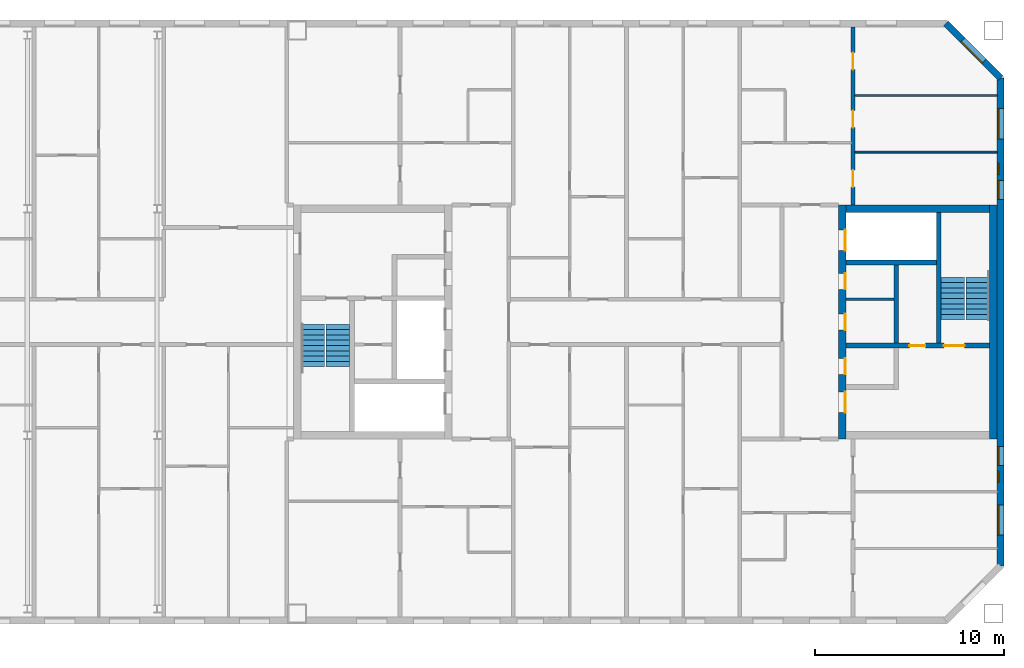
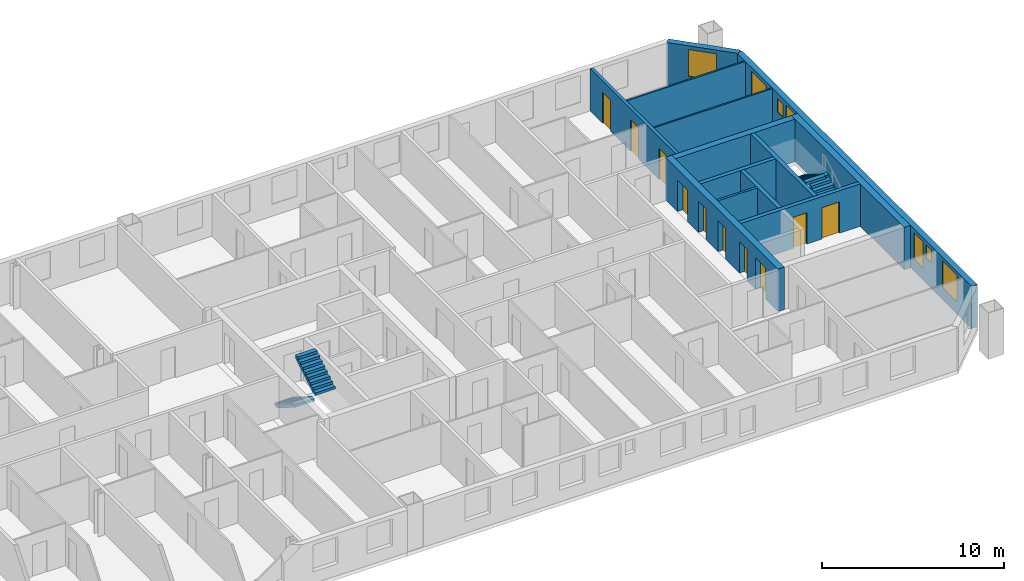
# One storey, part 17 of 19: 13 walls, 10 doors, 7 windows, 4 stair flights, 17 openings, 2 elements without a shape of their own.
"""IFC4 building model written with IfcOpenShell, lengths in metres."""

from ifc_helpers import new_model, si_unit, direction, frame, frame_2d, origin, place, context, subcontext, project, spatial, polyline, rectangle, outline, extrude, material, layer, layer_set, type_object, element, fill, aggregate, save


model = new_model("IFC4")

# Units and contexts
model_context = context("Model", 3, precision=1e-05, world=origin(), true_north=direction((0.0, 1.0)))
body_context = subcontext(model_context, "Body", "Model", "MODEL_VIEW")
ifc_project = project(units=[si_unit("LENGTHUNIT", "METRE"), si_unit("AREAUNIT", "SQUARE_METRE"), si_unit("VOLUMEUNIT", "CUBIC_METRE"), si_unit("PLANEANGLEUNIT", "RADIAN"), si_unit("MASSUNIT", "GRAM", prefix="KILO")], contexts=[model_context])

# Site, building, storey
site_placement = place(None, origin())
site = spatial("IfcSite", under=ifc_project, at=site_placement, CompositionType="ELEMENT")
building_placement = place(site_placement, origin())
building = spatial("IfcBuilding", under=site, at=building_placement, Name="Tuart Gate Housing", CompositionType="ELEMENT")
storey_placement = place(building_placement, frame((0.0, 0.0, 227.60009765625)))
storey = spatial("IfcBuildingStorey", under=building, at=storey_placement, Name="L64", CompositionType="ELEMENT", Elevation=227.60009765625)

# Wall, openings, windows
ifc_material_1 = material(Name="Brick", Category="masonry")
ifc_layer_1 = layer(ifc_material_1, 0.360107421875)
ifc_layer_set_1 = layer_set([ifc_layer_1], Name="Brick pier and spandrel wall 360")
wall_type_1 = type_object("IfcWallType", Name="Brick pier and spandrel wall 360", PredefinedType="STANDARD", material=ifc_layer_set_1)
wall_1_placement = place(storey_placement, frame((168.820068359375, 57.07470703125, 0.0), z_axis=(0.0, 0.0, 1.0), x_axis=(0.0, 1.0, 0.0)))
wall_1 = element("IfcWall", 1, at=wall_1_placement, inside=storey, type_object=wall_type_1, Name="External wall BLK-E L64", PredefinedType="STANDARD", context=body_context, shape_type="SweptSolid", body=[
    extrude(rectangle(XDim=25.850830078125, YDim=0.360107421875, at=frame_2d((12.92529296875, 0.0))), origin(), (0.0, 0.0, 1.0), 2.849853515625),
])
opening_1_placement = place(wall_1_placement, frame((1.62548828125, 0.0, 0.800048828125)))
opening_1 = element("IfcOpeningElement", 2, at=opening_1_placement, cuts=wall_1, Name="Opening W1", PredefinedType="OPENING", context=body_context, shape_type="SweptSolid", body=[
    extrude(rectangle(XDim=1.60009765625, YDim=1.800048828125, at=frame_2d((0.800048828125, 0.89990234375))), frame((0.0, 0.18994140625, 0.0), z_axis=(0.0, -1.0, 0.0), x_axis=(1.0, 0.0, 0.0)), (0.0, 0.0, 1.0), 0.380126953125),
])
opening_2_placement = place(wall_1_placement, frame((4.42529296875, 0.0, 1.699951171875)))
opening_2 = element("IfcOpeningElement", 3, at=opening_2_placement, cuts=wall_1, Name="Opening W1W", PredefinedType="OPENING", context=body_context, shape_type="SweptSolid", body=[
    extrude(rectangle(XDim=0.60009765625, YDim=0.89990234375, at=frame_2d((0.300048828125, 0.449951171875))), frame((0.0, 0.18994140625, 0.0), z_axis=(0.0, -1.0, 0.0), x_axis=(1.0, 0.0, 0.0)), (0.0, 0.0, 1.0), 0.380126953125),
])
opening_3_placement = place(wall_1_placement, frame((19.42529296875, 0.0, 0.800048828125)))
opening_3 = element("IfcOpeningElement", 4, at=opening_3_placement, cuts=wall_1, Name="Opening W1C", PredefinedType="OPENING", context=body_context, shape_type="SweptSolid", body=[
    extrude(rectangle(XDim=1.0, YDim=1.800048828125, at=frame_2d((0.5, 0.89990234375))), frame((0.0, 0.18994140625, 0.0), z_axis=(0.0, -1.0, 0.0), x_axis=(1.0, 0.0, 0.0)), (0.0, 0.0, 1.0), 0.380126953125),
])
opening_4_placement = place(wall_1_placement, frame((22.62548828125, 0.0, 0.800048828125)))
opening_4 = element("IfcOpeningElement", 5, at=opening_4_placement, cuts=wall_1, Name="Opening W1", PredefinedType="OPENING", context=body_context, shape_type="SweptSolid", body=[
    extrude(rectangle(XDim=1.60009765625, YDim=1.800048828125, at=frame_2d((0.800048828125, 0.89990234375))), frame((0.0, 0.18994140625, 0.0), z_axis=(0.0, -1.0, 0.0), x_axis=(1.0, 0.0, 0.0)), (0.0, 0.0, 1.0), 0.380126953125),
])
opening_5_placement = place(wall_1_placement, frame((5.325439453125, 0.0, 0.800048828125)))
opening_5 = element("IfcOpeningElement", 6, at=opening_5_placement, cuts=wall_1, Name="Opening W1C", PredefinedType="OPENING", context=body_context, shape_type="SweptSolid", body=[
    extrude(rectangle(XDim=1.0, YDim=1.800048828125, at=frame_2d((0.5, 0.89990234375))), frame((0.0, 0.18994140625, 0.0), z_axis=(0.0, -1.0, 0.0), x_axis=(1.0, 0.0, 0.0)), (0.0, 0.0, 1.0), 0.380126953125),
])
opening_6_placement = place(wall_1_placement, frame((20.725341796875, 0.0, 1.60009765625)))
opening_6 = element("IfcOpeningElement", 7, at=opening_6_placement, cuts=wall_1, Name="Opening W1W", PredefinedType="OPENING", context=body_context, shape_type="SweptSolid", body=[
    extrude(rectangle(XDim=0.60009765625, YDim=0.89990234375, at=frame_2d((0.300048828125, 0.449951171875))), frame((0.0, 0.18994140625, 0.0), z_axis=(0.0, -1.0, 0.0), x_axis=(1.0, 0.0, 0.0)), (0.0, 0.0, 1.0), 0.380126953125),
])
ifc_material_2 = material(Name="Aluminium frame with clear glass", Category="aluminium")
window_type_1 = type_object("IfcWindowType", Name="Punched window 1000 x 1800", PartitioningType="SINGLE_PANEL", PredefinedType="WINDOW", material=ifc_material_2)
window_1_placement = place(opening_3_placement, origin())
window_1 = element("IfcWindow", 8, at=window_1_placement, inside=storey, type_object=window_type_1, Name="Window W1C", OverallHeight=1.800048828125, OverallWidth=1.0, PartitioningType="SINGLE_PANEL", PredefinedType="WINDOW", context=body_context, shape_type="SweptSolid", body=[
    extrude(rectangle(XDim=1.0, YDim=1.800048828125, at=frame_2d((0.5, 0.89990234375))), frame((0.0, 0.150146484375, 0.0), z_axis=(0.0, -1.0, 0.0), x_axis=(1.0, 0.0, 0.0)), (0.0, 0.0, 1.0), 0.06005859375),
])
fill(opening_3, window_1)
window_2_placement = place(opening_5_placement, origin())
window_2 = element("IfcWindow", 9, at=window_2_placement, inside=storey, type_object=window_type_1, Name="Window W1C", OverallHeight=1.800048828125, OverallWidth=1.0, PartitioningType="SINGLE_PANEL", PredefinedType="WINDOW", context=body_context, shape_type="SweptSolid", body=[
    extrude(rectangle(XDim=1.0, YDim=1.800048828125, at=frame_2d((0.5, 0.89990234375))), frame((0.0, 0.150146484375, 0.0), z_axis=(0.0, -1.0, 0.0), x_axis=(1.0, 0.0, 0.0)), (0.0, 0.0, 1.0), 0.06005859375),
])
fill(opening_5, window_2)
ifc_material_3 = material(Name="Aluminium frame with clear glass", Category="aluminium")
window_type_2 = type_object("IfcWindowType", Name="Punched window 1600 x 1800", PartitioningType="SINGLE_PANEL", PredefinedType="WINDOW", material=ifc_material_3)
window_3_placement = place(opening_1_placement, origin())
window_3 = element("IfcWindow", 10, at=window_3_placement, inside=storey, type_object=window_type_2, Name="Window W1", OverallHeight=1.800048828125, OverallWidth=1.60009765625, PartitioningType="SINGLE_PANEL", PredefinedType="WINDOW", context=body_context, shape_type="SweptSolid", body=[
    extrude(rectangle(XDim=1.60009765625, YDim=1.800048828125, at=frame_2d((0.800048828125, 0.89990234375))), frame((0.0, 0.150146484375, 0.0), z_axis=(0.0, -1.0, 0.0), x_axis=(1.0, 0.0, 0.0)), (0.0, 0.0, 1.0), 0.06005859375),
])
fill(opening_1, window_3)
window_4_placement = place(opening_4_placement, origin())
window_4 = element("IfcWindow", 11, at=window_4_placement, inside=storey, type_object=window_type_2, Name="Window W1", OverallHeight=1.800048828125, OverallWidth=1.60009765625, PartitioningType="SINGLE_PANEL", PredefinedType="WINDOW", context=body_context, shape_type="SweptSolid", body=[
    extrude(rectangle(XDim=1.60009765625, YDim=1.800048828125, at=frame_2d((0.800048828125, 0.89990234375))), frame((0.0, 0.150146484375, 0.0), z_axis=(0.0, -1.0, 0.0), x_axis=(1.0, 0.0, 0.0)), (0.0, 0.0, 1.0), 0.06005859375),
])
fill(opening_4, window_4)
ifc_material_4 = material(Name="Aluminium frame with clear glass", Category="aluminium")
window_type_3 = type_object("IfcWindowType", Name="Punched window 600 x 900", PartitioningType="SINGLE_PANEL", PredefinedType="WINDOW", material=ifc_material_4)
window_5_placement = place(opening_2_placement, origin())
window_5 = element("IfcWindow", 12, at=window_5_placement, inside=storey, type_object=window_type_3, Name="Window W1W", OverallHeight=0.89990234375, OverallWidth=0.60009765625, PartitioningType="SINGLE_PANEL", PredefinedType="WINDOW", context=body_context, shape_type="SweptSolid", body=[
    extrude(rectangle(XDim=0.60009765625, YDim=0.89990234375, at=frame_2d((0.300048828125, 0.449951171875))), frame((0.0, 0.150146484375, 0.0), z_axis=(0.0, -1.0, 0.0), x_axis=(1.0, 0.0, 0.0)), (0.0, 0.0, 1.0), 0.06005859375),
])
fill(opening_2, window_5)
window_6_placement = place(opening_6_placement, origin())
window_6 = element("IfcWindow", 13, at=window_6_placement, inside=storey, type_object=window_type_3, Name="Window W1W", OverallHeight=0.89990234375, OverallWidth=0.60009765625, PartitioningType="SINGLE_PANEL", PredefinedType="WINDOW", context=body_context, shape_type="SweptSolid", body=[
    extrude(rectangle(XDim=0.60009765625, YDim=0.89990234375, at=frame_2d((0.300048828125, 0.449951171875))), frame((0.0, 0.150146484375, 0.0), z_axis=(0.0, -1.0, 0.0), x_axis=(1.0, 0.0, 0.0)), (0.0, 0.0, 1.0), 0.06005859375),
])
fill(opening_6, window_6)

# Wall, opening, window
wall_2_placement = place(storey_placement, frame((168.820068359375, 82.92529296875, 0.0), z_axis=(0.0, 0.0, 1.0), x_axis=(-0.707106781187, 0.707106781187, 0.0)))
wall_2 = element("IfcWall", 14, at=wall_2_placement, inside=storey, type_object=wall_type_1, Name="External wall BLK-NE L64", PredefinedType="STANDARD", context=body_context, shape_type="SweptSolid", body=[
    extrude(rectangle(XDim=4.09375, YDim=0.360107421875, at=frame_2d((2.046875, 0.0))), origin(), (0.0, 0.0, 1.0), 2.849853515625),
])
opening_7_placement = place(wall_2_placement, frame((1.2470703125, 0.0, 0.800048828125)))
opening_7 = element("IfcOpeningElement", 15, at=opening_7_placement, cuts=wall_2, Name="Opening W1", PredefinedType="OPENING", context=body_context, shape_type="SweptSolid", body=[
    extrude(rectangle(XDim=1.60009765625, YDim=1.800048828125, at=frame_2d((0.800048828125, 0.89990234375))), frame((0.0, 0.18994140625, 0.0), z_axis=(0.0, -1.0, 0.0), x_axis=(1.0, 0.0, 0.0)), (0.0, 0.0, 1.0), 0.380126953125),
])
window_7_placement = place(opening_7_placement, origin())
window_7 = element("IfcWindow", 16, at=window_7_placement, inside=storey, type_object=window_type_2, Name="Window W1", OverallHeight=1.800048828125, OverallWidth=1.60009765625, PartitioningType="SINGLE_PANEL", PredefinedType="WINDOW", context=body_context, shape_type="SweptSolid", body=[
    extrude(rectangle(XDim=1.60009765625, YDim=1.800048828125, at=frame_2d((0.800048828125, 0.89990234375))), frame((0.0, 0.150146484375, 0.0), z_axis=(0.0, -1.0, 0.0), x_axis=(1.0, 0.0, 0.0)), (0.0, 0.0, 1.0), 0.06005859375),
])
fill(opening_7, window_7)

# Walls
ifc_material_5 = material(Name="Plasterboard partition")
ifc_layer_2 = layer(ifc_material_5, 0.14990234375)
ifc_layer_set_2 = layer_set([ifc_layer_2], Name="Core partition 150")
wall_type_2 = type_object("IfcWallType", Name="Core partition 150", PredefinedType="PARTITIONING", material=ifc_layer_set_2)
wall_3_placement = place(storey_placement, frame((160.639892578125, 71.199951171875, 0.0), z_axis=(0.0, 0.0, 1.0), x_axis=(1.0, 0.0, 0.0)))
element("IfcWall", 17, at=wall_3_placement, inside=storey, type_object=wall_type_2, Name="Core partition BK.2", PredefinedType="PARTITIONING", context=body_context, shape_type="SweptSolid", body=[
    extrude(rectangle(XDim=2.525146484375, YDim=0.14990234375, at=frame_2d((1.2626953125, 0.0))), origin(), (0.0, 0.0, 1.0), 2.849853515625),
])
ifc_material_6 = material(Name="Concrete C40", Category="concrete")
ifc_layer_3 = layer(ifc_material_6, 0.25)
ifc_layer_set_3 = layer_set([ifc_layer_3], Name="Core wall 250 C40")
wall_type_3 = type_object("IfcWallType", Name="Core wall 250 C40", PredefinedType="SHEAR", material=ifc_layer_set_3)
wall_4_placement = place(storey_placement, frame((160.639892578125, 73.14990234375, 0.0), z_axis=(0.0, 0.0, 1.0), x_axis=(1.0, 0.0, 0.0)))
element("IfcWall", 18, at=wall_4_placement, inside=storey, type_object=wall_type_3, Name="Core wall BK.1", PredefinedType="SHEAR", context=body_context, shape_type="SweptSolid", body=[
    extrude(rectangle(XDim=4.775146484375, YDim=0.25, at=frame_2d((2.3876953125, 0.0))), origin(), (0.0, 0.0, 1.0), 2.849853515625),
])

# Wall, openings, doors
wall_5_placement = place(storey_placement, frame((160.639892578125, 68.75, 0.0), z_axis=(0.0, 0.0, 1.0), x_axis=(1.0, 0.0, 0.0)))
wall_5 = element("IfcWall", 19, at=wall_5_placement, inside=storey, type_object=wall_type_3, Name="Core wall BK.3", PredefinedType="SHEAR", context=body_context, shape_type="SweptSolid", body=[
    extrude(rectangle(XDim=7.60009765625, YDim=0.25, at=frame_2d((3.800048828125, 0.0))), origin(), (0.0, 0.0, 1.0), 2.849853515625),
])
opening_8_placement = place(wall_5_placement, frame((5.175048828125, 0.0, 0.0)))
opening_8 = element("IfcOpeningElement", 20, at=opening_8_placement, cuts=wall_5, Name="Opening D2425", PredefinedType="OPENING", context=body_context, shape_type="SweptSolid", body=[
    extrude(rectangle(XDim=1.10009765625, YDim=2.10009765625, at=frame_2d((0.550048828125, 1.050048828125))), frame((0.0, 0.135009765625, 0.0), z_axis=(0.0, -1.0, 0.0), x_axis=(1.0, 0.0, 0.0)), (0.0, 0.0, 1.0), 0.27001953125),
])
opening_9_placement = place(wall_5_placement, frame((3.35009765625, 0.0, 0.0)))
opening_9 = element("IfcOpeningElement", 21, at=opening_9_placement, cuts=wall_5, Name="Opening D2424", PredefinedType="OPENING", context=body_context, shape_type="SweptSolid", body=[
    extrude(rectangle(XDim=0.85009765625, YDim=2.10009765625, at=frame_2d((0.425048828125, 1.050048828125))), frame((0.0, 0.135009765625, 0.0), z_axis=(0.0, -1.0, 0.0), x_axis=(1.0, 0.0, 0.0)), (0.0, 0.0, 1.0), 0.27001953125),
])
ifc_material_7 = material(Name="Steel fire door", Category="steel")
door_type_1 = type_object("IfcDoorType", Name="Riser door 850 x 2100", OperationType="SINGLE_SWING_LEFT", PredefinedType="DOOR", material=ifc_material_7)
door_1_placement = place(opening_9_placement, origin())
door_1 = element("IfcDoor", 22, at=door_1_placement, inside=storey, type_object=door_type_1, Name="Service room door BK.W1", OperationType="SINGLE_SWING_LEFT", OverallHeight=2.10009765625, OverallWidth=0.85009765625, PredefinedType="DOOR", context=body_context, shape_type="SweptSolid", body=[
    extrude(rectangle(XDim=0.85009765625, YDim=2.10009765625, at=frame_2d((0.425048828125, 1.050048828125))), frame((0.0, 0.02490234375, 0.0), z_axis=(0.0, -1.0, 0.0), x_axis=(1.0, 0.0, 0.0)), (0.0, 0.0, 1.0), 0.050048828125),
])
fill(opening_9, door_1)
ifc_material_8 = material(Name="Steel fire door", Category="steel")
door_type_2 = type_object("IfcDoorType", Name="Stair door 1100 x 2100", OperationType="SINGLE_SWING_LEFT", PredefinedType="DOOR", material=ifc_material_8)
door_2_placement = place(opening_8_placement, origin())
door_2 = element("IfcDoor", 23, at=door_2_placement, inside=storey, type_object=door_type_2, Name="Stair door BK.SD", OperationType="SINGLE_SWING_LEFT", OverallHeight=2.10009765625, OverallWidth=1.10009765625, PredefinedType="DOOR", context=body_context, shape_type="SweptSolid", body=[
    extrude(rectangle(XDim=1.10009765625, YDim=2.10009765625, at=frame_2d((0.550048828125, 1.050048828125))), frame((0.0, 0.02490234375, 0.0), z_axis=(0.0, -1.0, 0.0), x_axis=(1.0, 0.0, 0.0)), (0.0, 0.0, 1.0), 0.050048828125),
])
fill(opening_8, door_2)

# Walls
wall_6_placement = place(storey_placement, frame((163.2900390625, 73.02490234375, 0.0), z_axis=(0.0, 0.0, 1.0), x_axis=(0.0, -1.0, 0.0)))
element("IfcWall", 24, at=wall_6_placement, inside=storey, type_object=wall_type_3, Name="Core wall BK.5", PredefinedType="SHEAR", context=body_context, shape_type="SweptSolid", body=[
    extrude(rectangle(XDim=4.14990234375, YDim=0.25, at=frame_2d((2.074951171875, 0.0))), origin(), (0.0, 0.0, 1.0), 2.849853515625),
])
wall_7_placement = place(storey_placement, frame((165.5400390625, 75.800048828125, 0.0), z_axis=(0.0, 0.0, 1.0), x_axis=(0.0, -1.0, 0.0)))
element("IfcWall", 25, at=wall_7_placement, inside=storey, type_object=wall_type_3, Name="Core wall BK.7", PredefinedType="SHEAR", context=body_context, shape_type="SweptSolid", body=[
    extrude(rectangle(XDim=6.925048828125, YDim=0.25, at=frame_2d((3.46240234375, 0.0))), origin(), (0.0, 0.0, 1.0), 2.849853515625),
])

# Wall, openings, doors
ifc_material_9 = material(Name="Concrete C40", Category="concrete")
ifc_layer_4 = layer(ifc_material_9, 0.39990234375)
ifc_layer_set_4 = layer_set([ifc_layer_4], Name="Core wall 400 C40")
wall_type_4 = type_object("IfcWallType", Name="Core wall 400 C40", PredefinedType="SHEAR", material=ifc_layer_set_4)
wall_8_placement = place(storey_placement, frame((160.43994140625, 76.199951171875, 0.0), z_axis=(0.0, 0.0, 1.0), x_axis=(0.0, -1.0, 0.0)))
wall_8 = element("IfcWall", 26, at=wall_8_placement, inside=storey, type_object=wall_type_4, Name="Core wall BK front", PredefinedType="SHEAR", context=body_context, shape_type="SweptSolid", body=[
    extrude(rectangle(XDim=12.39990234375, YDim=0.39990234375, at=frame_2d((6.199951171875, 0.0))), origin(), (0.0, 0.0, 1.0), 2.849853515625),
])
opening_10_placement = place(wall_8_placement, frame((1.324951171875, 0.0, 0.0)))
opening_10 = element("IfcOpeningElement", 27, at=opening_10_placement, cuts=wall_8, Name="Opening LD-FB2", PredefinedType="OPENING", context=body_context, shape_type="SweptSolid", body=[
    extrude(rectangle(XDim=1.10009765625, YDim=2.10009765625, at=frame_2d((0.550048828125, 1.050048828125))), frame((0.0, 0.2099609375, 0.0), z_axis=(0.0, -1.0, 0.0), x_axis=(1.0, 0.0, 0.0)), (0.0, 0.0, 1.0), 0.419921875),
])
opening_11_placement = place(wall_8_placement, frame((3.625, 0.0, 0.0)))
opening_11 = element("IfcOpeningElement", 28, at=opening_11_placement, cuts=wall_8, Name="Opening D2418", PredefinedType="OPENING", context=body_context, shape_type="SweptSolid", body=[
    extrude(rectangle(XDim=0.85009765625, YDim=2.10009765625, at=frame_2d((0.425048828125, 1.050048828125))), frame((0.0, 0.2099609375, 0.0), z_axis=(0.0, -1.0, 0.0), x_axis=(1.0, 0.0, 0.0)), (0.0, 0.0, 1.0), 0.419921875),
])
opening_12_placement = place(wall_8_placement, frame((5.77490234375, 0.0, 0.0)))
opening_12 = element("IfcOpeningElement", 29, at=opening_12_placement, cuts=wall_8, Name="Opening D2419", PredefinedType="OPENING", context=body_context, shape_type="SweptSolid", body=[
    extrude(rectangle(XDim=0.85009765625, YDim=2.10009765625, at=frame_2d((0.425048828125, 1.050048828125))), frame((0.0, 0.2099609375, 0.0), z_axis=(0.0, -1.0, 0.0), x_axis=(1.0, 0.0, 0.0)), (0.0, 0.0, 1.0), 0.419921875),
])
opening_13_placement = place(wall_8_placement, frame((9.89990234375, 0.0, 0.0)))
opening_13 = element("IfcOpeningElement", 30, at=opening_13_placement, cuts=wall_8, Name="Opening D2417", PredefinedType="OPENING", context=body_context, shape_type="SweptSolid", body=[
    extrude(rectangle(XDim=1.10009765625, YDim=2.10009765625, at=frame_2d((0.550048828125, 1.050048828125))), frame((0.0, 0.2099609375, 0.0), z_axis=(0.0, -1.0, 0.0), x_axis=(1.0, 0.0, 0.0)), (0.0, 0.0, 1.0), 0.419921875),
])
opening_14_placement = place(wall_8_placement, frame((8.125, 0.0, 0.0)))
opening_14 = element("IfcOpeningElement", 31, at=opening_14_placement, cuts=wall_8, Name="Opening D2420", PredefinedType="OPENING", context=body_context, shape_type="SweptSolid", body=[
    extrude(rectangle(XDim=0.85009765625, YDim=2.10009765625, at=frame_2d((0.425048828125, 1.050048828125))), frame((0.0, 0.2099609375, 0.0), z_axis=(0.0, -1.0, 0.0), x_axis=(1.0, 0.0, 0.0)), (0.0, 0.0, 1.0), 0.419921875),
])
ifc_material_10 = material(Name="Stainless steel", Category="steel")
door_type_3 = type_object("IfcDoorType", Name="Landing door 1100 x 2100", OperationType="DOUBLE_DOOR_SLIDING", PredefinedType="DOOR", material=ifc_material_10)
door_3_placement = place(opening_10_placement, origin())
door_3 = element("IfcDoor", 32, at=door_3_placement, inside=storey, type_object=door_type_3, Name="Lift landing door FB2", OperationType="DOUBLE_DOOR_SLIDING", OverallHeight=2.10009765625, OverallWidth=1.10009765625, PredefinedType="DOOR", context=body_context, shape_type="SweptSolid", body=[
    extrude(rectangle(XDim=1.10009765625, YDim=2.10009765625, at=frame_2d((0.550048828125, 1.050048828125))), frame((0.0, 0.18505859375, 0.0), z_axis=(0.0, -1.0, 0.0), x_axis=(1.0, 0.0, 0.0)), (0.0, 0.0, 1.0), 0.050048828125),
])
fill(opening_10, door_3)
ifc_material_11 = material(Name="Steel fire door", Category="steel")
door_type_4 = type_object("IfcDoorType", Name="Lobby door 1100 x 2100", OperationType="SINGLE_SWING_LEFT", PredefinedType="DOOR", material=ifc_material_11)
door_4_placement = place(opening_13_placement, origin())
door_4 = element("IfcDoor", 33, at=door_4_placement, inside=storey, type_object=door_type_4, Name="Lobby entry door BK.EN", OperationType="SINGLE_SWING_LEFT", OverallHeight=2.10009765625, OverallWidth=1.10009765625, PredefinedType="DOOR", context=body_context, shape_type="SweptSolid", body=[
    extrude(rectangle(XDim=1.10009765625, YDim=2.10009765625, at=frame_2d((0.550048828125, 1.050048828125))), frame((0.0, 0.18505859375, 0.0), z_axis=(0.0, -1.0, 0.0), x_axis=(1.0, 0.0, 0.0)), (0.0, 0.0, 1.0), 0.050048828125),
])
fill(opening_13, door_4)
ifc_material_12 = material(Name="Steel fire door", Category="steel")
door_type_5 = type_object("IfcDoorType", Name="Service door 850 x 2100", OperationType="SINGLE_SWING_LEFT", PredefinedType="DOOR", material=ifc_material_12)
door_5_placement = place(opening_11_placement, origin())
door_5 = element("IfcDoor", 34, at=door_5_placement, inside=storey, type_object=door_type_5, Name="Service room door BK.FR1", OperationType="SINGLE_SWING_LEFT", OverallHeight=2.10009765625, OverallWidth=0.85009765625, PredefinedType="DOOR", context=body_context, shape_type="SweptSolid", body=[
    extrude(rectangle(XDim=0.85009765625, YDim=2.10009765625, at=frame_2d((0.425048828125, 1.050048828125))), frame((0.0, 0.18505859375, 0.0), z_axis=(0.0, -1.0, 0.0), x_axis=(1.0, 0.0, 0.0)), (0.0, 0.0, 1.0), 0.050048828125),
])
fill(opening_11, door_5)
door_6_placement = place(opening_12_placement, origin())
door_6 = element("IfcDoor", 35, at=door_6_placement, inside=storey, type_object=door_type_5, Name="Service room door BK.FR2", OperationType="SINGLE_SWING_LEFT", OverallHeight=2.10009765625, OverallWidth=0.85009765625, PredefinedType="DOOR", context=body_context, shape_type="SweptSolid", body=[
    extrude(rectangle(XDim=0.85009765625, YDim=2.10009765625, at=frame_2d((0.425048828125, 1.050048828125))), frame((0.0, 0.18505859375, 0.0), z_axis=(0.0, -1.0, 0.0), x_axis=(1.0, 0.0, 0.0)), (0.0, 0.0, 1.0), 0.050048828125),
])
fill(opening_12, door_6)
door_7_placement = place(opening_14_placement, origin())
door_7 = element("IfcDoor", 36, at=door_7_placement, inside=storey, type_object=door_type_5, Name="Service room door BK.T1", OperationType="SINGLE_SWING_LEFT", OverallHeight=2.10009765625, OverallWidth=0.85009765625, PredefinedType="DOOR", context=body_context, shape_type="SweptSolid", body=[
    extrude(rectangle(XDim=0.85009765625, YDim=2.10009765625, at=frame_2d((0.425048828125, 1.050048828125))), frame((0.0, 0.18505859375, 0.0), z_axis=(0.0, -1.0, 0.0), x_axis=(1.0, 0.0, 0.0)), (0.0, 0.0, 1.0), 0.050048828125),
])
fill(opening_14, door_7)

# Walls
wall_9_placement = place(storey_placement, frame((168.43994140625, 76.199951171875, 0.0), z_axis=(0.0, 0.0, 1.0), x_axis=(0.0, -1.0, 0.0)))
element("IfcWall", 37, at=wall_9_placement, inside=storey, type_object=wall_type_4, Name="Core wall BK back", PredefinedType="SHEAR", context=body_context, shape_type="SweptSolid", body=[
    extrude(rectangle(XDim=12.39990234375, YDim=0.39990234375, at=frame_2d((6.199951171875, 0.0))), origin(), (0.0, 0.0, 1.0), 2.849853515625),
])
wall_10_placement = place(storey_placement, frame((160.639892578125, 76.0, 0.0), z_axis=(0.0, 0.0, 1.0), x_axis=(1.0, 0.0, 0.0)))
element("IfcWall", 38, at=wall_10_placement, inside=storey, type_object=wall_type_4, Name="Core wall BK south", PredefinedType="SHEAR", context=body_context, shape_type="SweptSolid", body=[
    extrude(rectangle(XDim=7.60009765625, YDim=0.39990234375, at=frame_2d((3.800048828125, 0.0))), origin(), (0.0, 0.0, 1.0), 2.849853515625),
])
ifc_material_13 = material(Name="Gypsum board on steel studs", Category="steel")
ifc_layer_5 = layer(ifc_material_13, 0.10009765625)
ifc_layer_set_5 = layer_set([ifc_layer_5], Name="Partition 100")
wall_type_5 = type_object("IfcWallType", Name="Partition 100", PredefinedType="PARTITIONING", material=ifc_layer_set_5)
for number, where, z_axis, x_axis, name in (
    (39, (161.10009765625, 79.0, 0.0), (0.0, 0.0, 1.0), (1.0, 0.0, 0.0), "Partition 100"),
    (40, (161.10009765625, 82.0, 0.0), (0.0, 0.0, 1.0), (1.0, 0.0, 0.0), "Partition 100"),
):
    element("IfcWall", number, at=place(storey_placement, frame(where, z_axis=z_axis, x_axis=x_axis)), inside=storey, type_object=wall_type_5, Name=name, PredefinedType="PARTITIONING", context=body_context, shape_type="SweptSolid", body=[
        extrude(rectangle(XDim=7.539794921875, YDim=0.10009765625, at=frame_2d((3.77001953125, 0.0))), origin(), (0.0, 0.0, 1.0), 2.849853515625),
    ])

# Wall, openings, doors
ifc_material_14 = material(Name="Concrete C40", Category="concrete")
ifc_layer_6 = layer(ifc_material_14, 0.199951171875)
ifc_layer_set_6 = layer_set([ifc_layer_6], Name="Party wall concrete C40 200")
wall_type_6 = type_object("IfcWallType", Name="Party wall concrete C40 200", PredefinedType="SOLIDWALL", material=ifc_layer_set_6)
wall_11_placement = place(storey_placement, frame((161.0, 76.199951171875, 0.0), z_axis=(0.0, 0.0, 1.0), x_axis=(0.0, 1.0, 0.0)))
wall_11 = element("IfcWall", 41, at=wall_11_placement, inside=storey, type_object=wall_type_6, Name="Party wall concrete C40 200", PredefinedType="SOLIDWALL", context=body_context, shape_type="SweptSolid", body=[
    extrude(rectangle(XDim=9.43994140625, YDim=0.199951171875, at=frame_2d((4.719970703125, 0.0))), origin(), (0.0, 0.0, 1.0), 2.849853515625),
])
opening_15_placement = place(wall_11_placement, frame((7.169921875, 0.0, 0.0)))
opening_15 = element("IfcOpeningElement", 42, at=opening_15_placement, cuts=wall_11, Name="Opening D2393", PredefinedType="OPENING", context=body_context, shape_type="SweptSolid", body=[
    extrude(rectangle(XDim=0.89990234375, YDim=2.10009765625, at=frame_2d((0.449951171875, 1.050048828125))), frame((0.0, 0.10986328125, 0.0), z_axis=(0.0, -1.0, 0.0), x_axis=(1.0, 0.0, 0.0)), (0.0, 0.0, 1.0), 0.219970703125),
])
opening_16_placement = place(wall_11_placement, frame((4.10009765625, 0.0, 0.0)))
opening_16 = element("IfcOpeningElement", 43, at=opening_16_placement, cuts=wall_11, Name="Opening D2394", PredefinedType="OPENING", context=body_context, shape_type="SweptSolid", body=[
    extrude(rectangle(XDim=0.89990234375, YDim=2.10009765625, at=frame_2d((0.449951171875, 1.050048828125))), frame((0.0, 0.10986328125, 0.0), z_axis=(0.0, -1.0, 0.0), x_axis=(1.0, 0.0, 0.0)), (0.0, 0.0, 1.0), 0.219970703125),
])
opening_17_placement = place(wall_11_placement, frame((0.949951171875, 0.0, 0.0)))
opening_17 = element("IfcOpeningElement", 44, at=opening_17_placement, cuts=wall_11, Name="Opening D2395", PredefinedType="OPENING", context=body_context, shape_type="SweptSolid", body=[
    extrude(rectangle(XDim=0.89990234375, YDim=2.10009765625, at=frame_2d((0.449951171875, 1.050048828125))), frame((0.0, 0.10986328125, 0.0), z_axis=(0.0, -1.0, 0.0), x_axis=(1.0, 0.0, 0.0)), (0.0, 0.0, 1.0), 0.219970703125),
])
ifc_material_15 = material(Name="Timber door leaf in steel frame", Category="steel")
door_type_6 = type_object("IfcDoorType", Name="Internal door 900", OperationType="SINGLE_SWING_LEFT", PredefinedType="DOOR", material=ifc_material_15)
door_8_placement = place(opening_16_placement, frame((0.89990234375, 0.0, 0.0), z_axis=(0.0, 0.0, 1.0), x_axis=(-1.0, 0.0, 0.0)))
door_8 = element("IfcDoor", 45, at=door_8_placement, inside=storey, type_object=door_type_6, Name="Internal door", OperationType="SINGLE_SWING_LEFT", OverallHeight=2.10009765625, OverallWidth=0.89990234375, PredefinedType="DOOR", context=body_context, shape_type="SweptSolid", body=[
    extrude(rectangle(XDim=0.89990234375, YDim=2.10009765625, at=frame_2d((0.449951171875, 1.050048828125))), frame((0.0, 0.025146484375, 0.0), z_axis=(0.0, -1.0, 0.0), x_axis=(1.0, 0.0, 0.0)), (0.0, 0.0, 1.0), 0.050048828125),
])
fill(opening_16, door_8)
ifc_material_16 = material(Name="Timber door leaf in steel frame", Category="steel")
door_type_7 = type_object("IfcDoorType", Name="Internal door 900 RH", OperationType="SINGLE_SWING_RIGHT", PredefinedType="DOOR", material=ifc_material_16)
door_9_placement = place(opening_15_placement, frame((0.89990234375, 0.0, 0.0), z_axis=(0.0, 0.0, 1.0), x_axis=(-1.0, 0.0, 0.0)))
door_9 = element("IfcDoor", 46, at=door_9_placement, inside=storey, type_object=door_type_7, Name="Internal door", OperationType="SINGLE_SWING_RIGHT", OverallHeight=2.10009765625, OverallWidth=0.89990234375, PredefinedType="DOOR", context=body_context, shape_type="SweptSolid", body=[
    extrude(rectangle(XDim=0.89990234375, YDim=2.10009765625, at=frame_2d((0.449951171875, 1.050048828125))), frame((0.0, 0.025146484375, 0.0), z_axis=(0.0, -1.0, 0.0), x_axis=(1.0, 0.0, 0.0)), (0.0, 0.0, 1.0), 0.050048828125),
])
fill(opening_15, door_9)
door_10_placement = place(opening_17_placement, frame((0.89990234375, 0.0, 0.0), z_axis=(0.0, 0.0, 1.0), x_axis=(-1.0, 0.0, 0.0)))
door_10 = element("IfcDoor", 47, at=door_10_placement, inside=storey, type_object=door_type_7, Name="Internal door", OperationType="SINGLE_SWING_RIGHT", OverallHeight=2.10009765625, OverallWidth=0.89990234375, PredefinedType="DOOR", context=body_context, shape_type="SweptSolid", body=[
    extrude(rectangle(XDim=0.89990234375, YDim=2.10009765625, at=frame_2d((0.449951171875, 1.050048828125))), frame((0.0, 0.025146484375, 0.0), z_axis=(0.0, -1.0, 0.0), x_axis=(1.0, 0.0, 0.0)), (0.0, 0.0, 1.0), 0.050048828125),
])
fill(opening_17, door_10)

# Stair, stair flights
ifc_material_17 = material(Name="Concrete C40", Category="concrete")
stair_type = type_object("IfcStairType", Name="Core stair 1250", PredefinedType="HALF_TURN_STAIR", material=ifc_material_17)
stair_1_placement = place(storey_placement, origin())
stair_1 = element("IfcStair", 48, at=stair_1_placement, inside=storey, type_object=stair_type, Name="Stair SB1", PredefinedType="HALF_TURN_STAIR")
ifc_material_18 = material(Name="Concrete C40", Category="concrete")
stair_flight_type = type_object("IfcStairFlightType", Name="Stair flight 1250, 9 risers 172 x 280", PredefinedType="STRAIGHT", material=ifc_material_18)
stair_flight_1_placement = place(storey_placement, frame((132.385009765625, 69.875, 0.0), z_axis=(0.0, 0.0, 1.0), x_axis=(0.0, -1.0, 0.0)))
stair_flight_1 = element("IfcStairFlight", 49, at=stair_flight_1_placement, type_object=stair_flight_type, Name="SB1 flight 1", NumberOfRisers=9, NumberOfTreads=8, PredefinedType="STRAIGHT", RiserHeight=0.172222222, TreadLength=0.28, context=body_context, shape_type="SweptSolid", body=[
    extrude(outline(polyline([(0.0, 0.0), (0.0, 0.172119140625), (0.280029296875, 0.172119140625), (0.280029296875, 0.344482421875), (0.56005859375, 0.344482421875), (0.56005859375, 0.5166015625), (0.840087890625, 0.5166015625), (0.840087890625, 0.68896484375), (1.1201171875, 0.68896484375), (1.1201171875, 0.861083984375), (1.39990234375, 0.861083984375), (1.39990234375, 1.033447265625), (1.679931640625, 1.033447265625), (1.679931640625, 1.20556640625), (1.9599609375, 1.20556640625), (1.9599609375, 1.377685546875), (2.239990234375, 1.377685546875), (2.239990234375, 1.550048828125), (2.239990234375, 1.201904296875), (0.2861328125, 0.0), (0.0, 0.0)])), frame((0.0, 0.625, 0.0), z_axis=(0.0, -1.0, 0.0), x_axis=(1.0, 0.0, 0.0)), (0.0, 0.0, 1.0), 1.25),
])
stair_flight_2_placement = place(storey_placement, frame((133.7099609375, 67.635009765625, 1.5498046875), z_axis=(0.0, 0.0, 1.0), x_axis=(0.0, 1.0, 0.0)))
stair_flight_2 = element("IfcStairFlight", 50, at=stair_flight_2_placement, type_object=stair_flight_type, Name="SB1 flight 2", NumberOfRisers=9, NumberOfTreads=8, PredefinedType="STRAIGHT", RiserHeight=0.172222222, TreadLength=0.28, context=body_context, shape_type="SweptSolid", body=[
    extrude(outline(polyline([(0.0, 0.0), (0.0, 0.172119140625), (0.280029296875, 0.172119140625), (0.280029296875, 0.344482421875), (0.56005859375, 0.344482421875), (0.56005859375, 0.5166015625), (0.840087890625, 0.5166015625), (0.840087890625, 0.68896484375), (1.1201171875, 0.68896484375), (1.1201171875, 0.861083984375), (1.39990234375, 0.861083984375), (1.39990234375, 1.033447265625), (1.679931640625, 1.033447265625), (1.679931640625, 1.20556640625), (1.9599609375, 1.20556640625), (1.9599609375, 1.377685546875), (2.239990234375, 1.377685546875), (2.239990234375, 1.550048828125), (2.239990234375, 1.201904296875), (0.2861328125, 0.0), (0.0, 0.0)])), frame((0.0, 0.625, 0.0), z_axis=(0.0, -1.0, 0.0), x_axis=(1.0, 0.0, 0.0)), (0.0, 0.0, 1.0), 1.25),
])
aggregate(stair_1, [stair_flight_1, stair_flight_2])

stair_2_placement = place(storey_placement, origin())
stair_2 = element("IfcStair", 51, at=stair_2_placement, inside=storey, type_object=stair_type, Name="Stair SB2", PredefinedType="HALF_TURN_STAIR")
stair_flight_3_placement = place(storey_placement, frame((167.614990234375, 70.125, 0.0), z_axis=(0.0, 0.0, 1.0), x_axis=(0.0, 1.0, 0.0)))
stair_flight_3 = element("IfcStairFlight", 52, at=stair_flight_3_placement, type_object=stair_flight_type, Name="SB2 flight 1", NumberOfRisers=9, NumberOfTreads=8, PredefinedType="STRAIGHT", RiserHeight=0.172222222, TreadLength=0.28, context=body_context, shape_type="SweptSolid", body=[
    extrude(outline(polyline([(0.0, 0.0), (0.0, 0.172119140625), (0.280029296875, 0.172119140625), (0.280029296875, 0.344482421875), (0.56005859375, 0.344482421875), (0.56005859375, 0.5166015625), (0.840087890625, 0.5166015625), (0.840087890625, 0.68896484375), (1.1201171875, 0.68896484375), (1.1201171875, 0.861083984375), (1.39990234375, 0.861083984375), (1.39990234375, 1.033447265625), (1.679931640625, 1.033447265625), (1.679931640625, 1.20556640625), (1.9599609375, 1.20556640625), (1.9599609375, 1.377685546875), (2.239990234375, 1.377685546875), (2.239990234375, 1.550048828125), (2.239990234375, 1.201904296875), (0.2861328125, 0.0), (0.0, 0.0)])), frame((0.0, 0.625, 0.0), z_axis=(0.0, -1.0, 0.0), x_axis=(1.0, 0.0, 0.0)), (0.0, 0.0, 1.0), 1.25),
])
stair_flight_4_placement = place(storey_placement, frame((166.2900390625, 72.364990234375, 1.5498046875), z_axis=(0.0, 0.0, 1.0), x_axis=(0.0, -1.0, 0.0)))
stair_flight_4 = element("IfcStairFlight", 53, at=stair_flight_4_placement, type_object=stair_flight_type, Name="SB2 flight 2", NumberOfRisers=9, NumberOfTreads=8, PredefinedType="STRAIGHT", RiserHeight=0.172222222, TreadLength=0.28, context=body_context, shape_type="SweptSolid", body=[
    extrude(outline(polyline([(0.0, 0.0), (0.0, 0.172119140625), (0.280029296875, 0.172119140625), (0.280029296875, 0.344482421875), (0.56005859375, 0.344482421875), (0.56005859375, 0.5166015625), (0.840087890625, 0.5166015625), (0.840087890625, 0.68896484375), (1.1201171875, 0.68896484375), (1.1201171875, 0.861083984375), (1.39990234375, 0.861083984375), (1.39990234375, 1.033447265625), (1.679931640625, 1.033447265625), (1.679931640625, 1.20556640625), (1.9599609375, 1.20556640625), (1.9599609375, 1.377685546875), (2.239990234375, 1.377685546875), (2.239990234375, 1.550048828125), (2.239990234375, 1.201904296875), (0.2861328125, 0.0), (0.0, 0.0)])), frame((0.0, 0.625, 0.0), z_axis=(0.0, -1.0, 0.0), x_axis=(1.0, 0.0, 0.0)), (0.0, 0.0, 1.0), 1.25),
])
aggregate(stair_2, [stair_flight_3, stair_flight_4])

save(model, "model.ifc")
